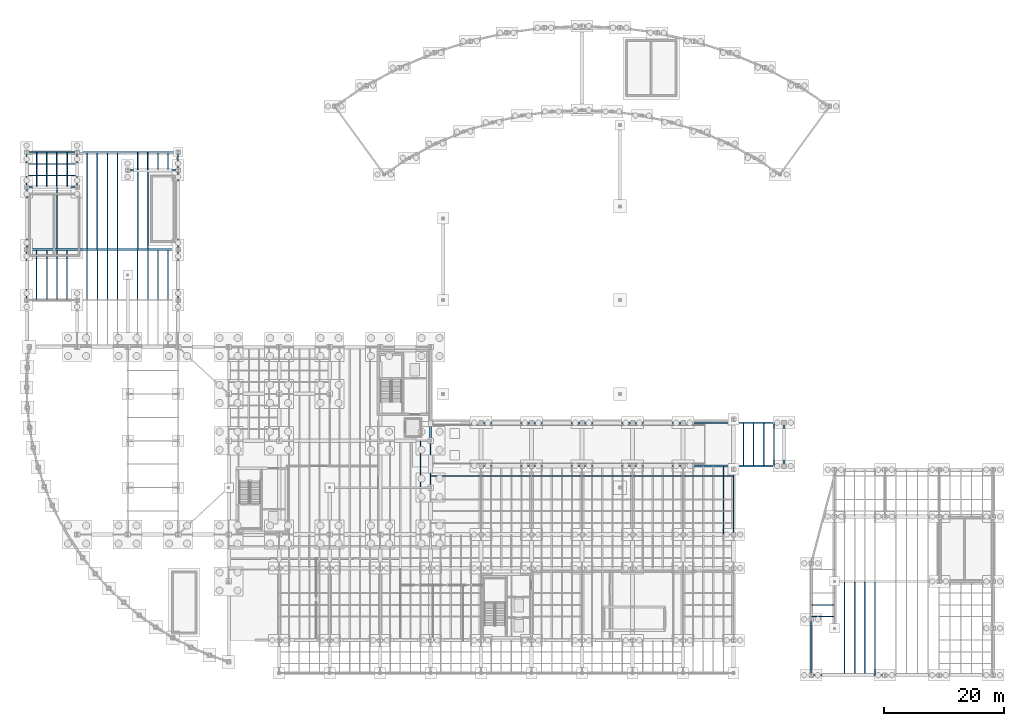
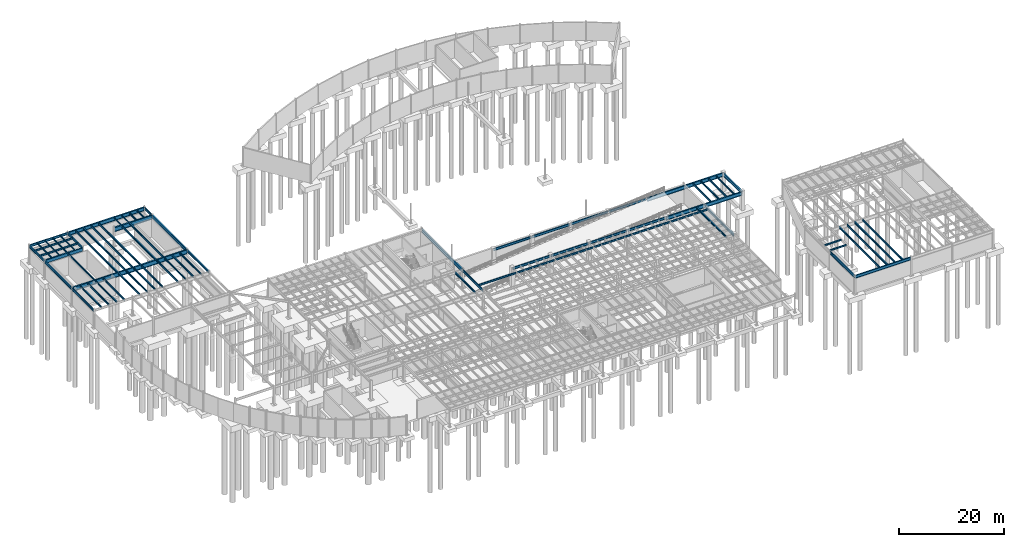
# One storey, part 29 of 41: 75 beams.
"""IFC4 building model written with IfcOpenShell, lengths in metres."""

from ifc_helpers import new_model, si_unit, direction, frame, origin, origin_2d, place, context, subcontext, project, spatial, i_section, extrude, material, material_profile, profile_set, type_object, element, save


model = new_model("IFC4")

# Units and contexts
model_context = context("Model", 3, precision=1e-05, world=origin(), true_north=direction((0.0, 1.0)))
body_context = subcontext(model_context, "Body", "Model", "MODEL_VIEW")
ifc_project = project(units=[si_unit("LENGTHUNIT", "METRE"), si_unit("AREAUNIT", "SQUARE_METRE"), si_unit("VOLUMEUNIT", "CUBIC_METRE"), si_unit("PLANEANGLEUNIT", "RADIAN"), si_unit("MASSUNIT", "GRAM", prefix="KILO")], contexts=[model_context])

# Site, building, storey
site_placement = place(None, origin())
site = spatial("IfcSite", under=ifc_project, at=site_placement, CompositionType="ELEMENT")
building_placement = place(site_placement, origin())
building = spatial("IfcBuilding", under=site, at=building_placement, Name="Selat Folded Stagehouse", CompositionType="ELEMENT")
storey_placement = place(building_placement, frame((0.0, 0.0, -4.5)))
storey = spatial("IfcBuildingStorey", under=building, at=storey_placement, Name="B1", CompositionType="ELEMENT", Elevation=-4.5)

# Beams
ifc_material_1 = material(Name="Steel S355", Category="steel")
ifc_material_profile_1 = material_profile(ifc_material_1, i_section(OverallWidth=0.210693359375, OverallDepth=0.53955078125, WebThickness=0.01171875, FlangeThickness=0.018798828125, FilletRadius=0.0126953125, at=origin_2d()), Name="UKB 533x210x109")
ifc_profile_set_1 = profile_set([ifc_material_profile_1], Name="Steel S355")
beam_type_1 = type_object("IfcBeamType", Name="BM-GIRD-533x210x109", PredefinedType="BEAM", material=ifc_profile_set_1)
beam_1_placement = place(storey_placement, frame((0.0, 62.47998046875, 3.97021484375), z_axis=(0.0, 1.0, 0.0), x_axis=(-1.0, 0.0, 0.0)))
element("IfcBeam", 1, at=beam_1_placement, inside=storey, type_object=beam_type_1, Name="B1 primary y-girder 0082", PredefinedType="BEAM", context=body_context, shape_type="SweptSolid", body=[
    extrude(i_section(OverallWidth=0.210693359375, OverallDepth=0.53955078125, WebThickness=0.01171875, FlangeThickness=0.018798828125, FilletRadius=0.0126953125, at=origin_2d()), origin(), (0.0, 0.0, 1.0), 8.239990234375),
])
for number, where, z_axis, x_axis, name in (
    (2, (0.0, 81.280029296875, 3.97021484375), (0.0, 1.0, 0.0), (-1.0, 0.0, 0.0), "B1 primary y-girder 0084"),
    (3, (8.39990234375, 81.280029296875, 3.97021484375), (0.0, 1.0, 0.0), (-1.0, 0.0, 0.0), "B1 primary y-girder 0086"),
):
    element("IfcBeam", number, at=place(storey_placement, frame(where, z_axis=z_axis, x_axis=x_axis)), inside=storey, type_object=beam_type_1, Name=name, PredefinedType="BEAM", context=body_context, shape_type="SweptSolid", body=[
        extrude(i_section(OverallWidth=0.210693359375, OverallDepth=0.53955078125, WebThickness=0.01171875, FlangeThickness=0.018798828125, FilletRadius=0.0126953125, at=origin_2d()), origin(), (0.0, 0.0, 1.0), 5.639892578125),
    ])
beam_2_placement = place(storey_placement, frame((25.199951171875, 62.47998046875, 3.97021484375), z_axis=(0.0, 1.0, 0.0), x_axis=(-1.0, 0.0, 0.0)))
element("IfcBeam", 4, at=beam_2_placement, inside=storey, type_object=beam_type_1, Name="B1 primary y-girder 0088", PredefinedType="BEAM", context=body_context, shape_type="SweptSolid", body=[
    extrude(i_section(OverallWidth=0.210693359375, OverallDepth=0.53955078125, WebThickness=0.01171875, FlangeThickness=0.018798828125, FilletRadius=0.0126953125, at=origin_2d()), origin(), (0.0, 0.0, 1.0), 8.239990234375),
])
beam_3_placement = place(storey_placement, frame((25.199951171875, 84.080078125, 3.97021484375), z_axis=(0.0, 1.0, 0.0), x_axis=(-1.0, 0.0, 0.0)))
element("IfcBeam", 5, at=beam_3_placement, inside=storey, type_object=beam_type_1, Name="B1 primary y-girder 0090", PredefinedType="BEAM", context=body_context, shape_type="SweptSolid", body=[
    extrude(i_section(OverallWidth=0.210693359375, OverallDepth=0.53955078125, WebThickness=0.01171875, FlangeThickness=0.018798828125, FilletRadius=0.0126953125, at=origin_2d()), origin(), (0.0, 0.0, 1.0), 2.83984375),
])
beam_4_placement = place(storey_placement, frame((67.199951171875, 31.280029296875, 3.930419921875), z_axis=(0.0, 1.0, 0.0), x_axis=(-1.0, 0.0, 0.0)))
element("IfcBeam", 6, at=beam_4_placement, inside=storey, type_object=beam_type_1, Name="B1 primary y-girder 0113", PredefinedType="BEAM", context=body_context, shape_type="SweptSolid", body=[
    extrude(i_section(OverallWidth=0.210693359375, OverallDepth=0.53955078125, WebThickness=0.01171875, FlangeThickness=0.018798828125, FilletRadius=0.0126953125, at=origin_2d()), origin(), (0.0, 0.0, 1.0), 7.639892578125),
])
ifc_material_profile_2 = material_profile(ifc_material_1, i_section(OverallWidth=0.209228515625, OverallDepth=0.533203125, WebThickness=0.010009765625, FlangeThickness=0.015625, FilletRadius=0.0126953125, at=origin_2d()), Name="UKB 533x210x92")
ifc_profile_set_2 = profile_set([ifc_material_profile_2], Name="Steel S355")
beam_type_2 = type_object("IfcBeamType", Name="BM-GIRD-533x210x92", PredefinedType="BEAM", material=ifc_profile_set_2)
for number, where, z_axis, x_axis, name in (
    (7, (75.679931640625, 34.800048828125, 3.93359375), (1.0, 0.0, 0.0), (0.0, 1.0, 0.0), "B1 primary x-girder 0053"),
    (8, (84.080078125, 34.800048828125, 3.93359375), (1.0, 0.0, 0.0), (0.0, 1.0, 0.0), "B1 primary x-girder 0054"),
    (9, (92.47998046875, 34.800048828125, 3.93359375), (1.0, 0.0, 0.0), (0.0, 1.0, 0.0), "B1 primary x-girder 0055"),
):
    element("IfcBeam", number, at=place(storey_placement, frame(where, z_axis=z_axis, x_axis=x_axis)), inside=storey, type_object=beam_type_2, Name=name, PredefinedType="BEAM", context=body_context, shape_type="SweptSolid", body=[
        extrude(i_section(OverallWidth=0.209228515625, OverallDepth=0.533203125, WebThickness=0.010009765625, FlangeThickness=0.015625, FilletRadius=0.0126953125, at=origin_2d()), origin(), (0.0, 0.0, 1.0), 8.239990234375),
    ])
beam_5_placement = place(storey_placement, frame((100.8798828125, 34.800048828125, 3.93359375), z_axis=(1.0, 0.0, 0.0), x_axis=(0.0, 1.0, 0.0)))
element("IfcBeam", 10, at=beam_5_placement, inside=storey, type_object=beam_type_2, Name="B1 primary x-girder 0056", PredefinedType="BEAM", context=body_context, shape_type="SweptSolid", body=[
    extrude(i_section(OverallWidth=0.209228515625, OverallDepth=0.533203125, WebThickness=0.010009765625, FlangeThickness=0.015625, FilletRadius=0.0126953125, at=origin_2d()), origin(), (0.0, 0.0, 1.0), 8.240234375),
])
for number, where, z_axis, x_axis, name in (
    (11, (75.679931640625, 42.0, 3.93359375), (1.0, 0.0, 0.0), (0.0, 1.0, 0.0), "B1 primary x-girder 0061"),
    (12, (84.080078125, 42.0, 3.93359375), (1.0, 0.0, 0.0), (0.0, 1.0, 0.0), "B1 primary x-girder 0062"),
    (13, (92.47998046875, 42.0, 3.93359375), (1.0, 0.0, 0.0), (0.0, 1.0, 0.0), "B1 primary x-girder 0063"),
):
    element("IfcBeam", number, at=place(storey_placement, frame(where, z_axis=z_axis, x_axis=x_axis)), inside=storey, type_object=beam_type_2, Name=name, PredefinedType="BEAM", context=body_context, shape_type="SweptSolid", body=[
        extrude(i_section(OverallWidth=0.209228515625, OverallDepth=0.533203125, WebThickness=0.010009765625, FlangeThickness=0.015625, FilletRadius=0.0126953125, at=origin_2d()), origin(), (0.0, 0.0, 1.0), 8.239990234375),
    ])
beam_6_placement = place(storey_placement, frame((100.8798828125, 42.0, 3.93359375), z_axis=(1.0, 0.0, 0.0), x_axis=(0.0, 1.0, 0.0)))
element("IfcBeam", 14, at=beam_6_placement, inside=storey, type_object=beam_type_2, Name="B1 primary x-girder 0064", PredefinedType="BEAM", context=body_context, shape_type="SweptSolid", body=[
    extrude(i_section(OverallWidth=0.209228515625, OverallDepth=0.533203125, WebThickness=0.010009765625, FlangeThickness=0.015625, FilletRadius=0.0126953125, at=origin_2d()), origin(), (0.0, 0.0, 1.0), 8.240234375),
])
beam_7_placement = place(storey_placement, frame((0.080078125, 87.0, 3.973388671875), z_axis=(1.0, 0.0, 0.0), x_axis=(0.0, 1.0, 0.0)))
element("IfcBeam", 15, at=beam_7_placement, inside=storey, type_object=beam_type_2, Name="B1 primary x-girder 0080", PredefinedType="BEAM", context=body_context, shape_type="SweptSolid", body=[
    extrude(i_section(OverallWidth=0.209228515625, OverallDepth=0.533203125, WebThickness=0.010009765625, FlangeThickness=0.015625, FilletRadius=0.0126953125, at=origin_2d()), origin(), (0.0, 0.0, 1.0), 8.239990234375),
])
ifc_material_profile_3 = material_profile(ifc_material_1, i_section(OverallWidth=0.230224609375, OverallDepth=0.6171875, WebThickness=0.01318359375, FlangeThickness=0.022216796875, FilletRadius=0.0126953125, at=origin_2d()), Name="UKB 610x229x140")
ifc_profile_set_3 = profile_set([ifc_material_profile_3], Name="Steel S355")
beam_type_3 = type_object("IfcBeamType", Name="BM-GIRD-610x229x140", PredefinedType="BEAM", material=ifc_profile_set_3)
beam_8_placement = place(storey_placement, frame((0.0, 70.8798828125, 3.931396484375), z_axis=(0.0, 1.0, 0.0), x_axis=(-1.0, 0.0, 0.0)))
element("IfcBeam", 16, at=beam_8_placement, inside=storey, type_object=beam_type_3, Name="B1 primary y-girder 0083", PredefinedType="BEAM", context=body_context, shape_type="SweptSolid", body=[
    extrude(i_section(OverallWidth=0.230224609375, OverallDepth=0.6171875, WebThickness=0.01318359375, FlangeThickness=0.022216796875, FilletRadius=0.0126953125, at=origin_2d()), origin(), (0.0, 0.0, 1.0), 10.240234375),
])
beam_9_placement = place(storey_placement, frame((117.60009765625, 23.47998046875, 3.891357421875), z_axis=(0.0, 1.0, 0.0), x_axis=(-1.0, 0.0, 0.0)))
element("IfcBeam", 17, at=beam_9_placement, inside=storey, type_object=beam_type_3, Name="B1 primary y-girder 0136", PredefinedType="BEAM", context=body_context, shape_type="SweptSolid", body=[
    extrude(i_section(OverallWidth=0.230224609375, OverallDepth=0.6171875, WebThickness=0.01318359375, FlangeThickness=0.022216796875, FilletRadius=0.0126953125, at=origin_2d()), origin(), (0.0, 0.0, 1.0), 10.68994140625),
])
beam_10_placement = place(storey_placement, frame((130.510009765625, 0.080078125, 3.94140625), z_axis=(0.0, 1.0, 0.0), x_axis=(-1.0, 0.0, 0.0)))
element("IfcBeam", 18, at=beam_10_placement, inside=storey, type_object=beam_type_3, Name="B1 primary y-girder 0138", PredefinedType="BEAM", context=body_context, shape_type="SweptSolid", body=[
    extrude(i_section(OverallWidth=0.230224609375, OverallDepth=0.6171875, WebThickness=0.01318359375, FlangeThickness=0.022216796875, FilletRadius=0.0126953125, at=origin_2d()), origin(), (0.0, 0.0, 1.0), 9.139892578125),
])
ifc_material_profile_4 = material_profile(ifc_material_1, i_section(OverallWidth=0.253662109375, OverallDepth=0.68359375, WebThickness=0.012451171875, FlangeThickness=0.01904296875, FilletRadius=0.01513671875, at=origin_2d()), Name="UKB 686x254x140")
ifc_profile_set_4 = profile_set([ifc_material_profile_4], Name="Steel S355")
beam_type_4 = type_object("IfcBeamType", Name="BM-GIRD-686x254x140", PredefinedType="BEAM", material=ifc_profile_set_4)
beam_11_placement = place(storey_placement, frame((130.590576171875, 0.0, 3.908203125), z_axis=(1.0, 0.0, 0.0), x_axis=(0.0, 1.0, 0.0)))
element("IfcBeam", 19, at=beam_11_placement, inside=storey, type_object=beam_type_4, Name="B1 primary x-girder 0001", PredefinedType="BEAM", context=body_context, shape_type="SweptSolid", body=[
    extrude(i_section(OverallWidth=0.253662109375, OverallDepth=0.68359375, WebThickness=0.012451171875, FlangeThickness=0.01904296875, FilletRadius=0.01513671875, at=origin_2d()), origin(), (0.0, 0.0, 1.0), 12.12939453125),
])
ifc_material_profile_5 = material_profile(ifc_material_1, i_section(OverallWidth=0.26806640625, OverallDepth=0.769775390625, WebThickness=0.015625, FlangeThickness=0.025390625, FilletRadius=0.0166015625, at=origin_2d()), Name="UKB 762x267x197")
ifc_profile_set_5 = profile_set([ifc_material_profile_5], Name="Steel S355")
beam_type_5 = type_object("IfcBeamType", Name="BM-GIRD-762x267x197", PredefinedType="BEAM", material=ifc_profile_set_5)
beam_12_placement = place(storey_placement, frame((25.199951171875, 70.8798828125, 3.85498046875), z_axis=(0.0, 1.0, 0.0), x_axis=(-1.0, 0.0, 0.0)))
element("IfcBeam", 20, at=beam_12_placement, inside=storey, type_object=beam_type_5, Name="B1 primary y-girder 0089", PredefinedType="BEAM", context=body_context, shape_type="SweptSolid", body=[
    extrude(i_section(OverallWidth=0.26806640625, OverallDepth=0.769775390625, WebThickness=0.015625, FlangeThickness=0.025390625, FilletRadius=0.0166015625, at=origin_2d()), origin(), (0.0, 0.0, 1.0), 13.0400390625),
])
beam_13_placement = place(storey_placement, frame((67.199951171875, 39.080078125, 3.835205078125), z_axis=(0.0, 1.0, 0.0), x_axis=(-1.0, 0.0, 0.0)))
element("IfcBeam", 21, at=beam_13_placement, inside=storey, type_object=beam_type_5, Name="B1 primary y-girder 0114", PredefinedType="BEAM", context=body_context, shape_type="SweptSolid", body=[
    extrude(i_section(OverallWidth=0.26806640625, OverallDepth=0.769775390625, WebThickness=0.015625, FlangeThickness=0.025390625, FilletRadius=0.0166015625, at=origin_2d()), origin(), (0.0, 0.0, 1.0), 15.43994140625),
])
beam_14_placement = place(storey_placement, frame((126.0, 34.8798828125, 3.820068359375), z_axis=(0.0, 1.0, 0.0), x_axis=(-1.0, 0.0, 0.0)))
element("IfcBeam", 22, at=beam_14_placement, inside=storey, type_object=beam_type_5, Name="B1 primary y-girder 0137", PredefinedType="BEAM", context=body_context, shape_type="SweptSolid", body=[
    extrude(i_section(OverallWidth=0.26806640625, OverallDepth=0.769775390625, WebThickness=0.015625, FlangeThickness=0.025390625, FilletRadius=0.0166015625, at=origin_2d()), origin(), (0.0, 0.0, 1.0), 7.0400390625),
])
ifc_material_profile_6 = material_profile(ifc_material_1, i_section(OverallWidth=0.293701171875, OverallDepth=0.850830078125, WebThickness=0.01611328125, FlangeThickness=0.02685546875, FilletRadius=0.017822265625, at=origin_2d()), Name="UKB 838x292x226")
ifc_profile_set_6 = profile_set([ifc_material_profile_6], Name="Steel S355")
beam_type_6 = type_object("IfcBeamType", Name="BM-LONG-838x292x226", PredefinedType="BEAM", material=ifc_profile_set_6)
for number, where, z_axis, x_axis, name in (
    (23, (109.280029296875, 34.800048828125, 3.774658203125), (1.0, 0.0, 0.0), (0.0, 1.0, 0.0), "B1 primary x-girder 0057"),
    (24, (109.280029296875, 42.0, 3.774658203125), (1.0, 0.0, 0.0), (0.0, 1.0, 0.0), "B1 primary x-girder 0065"),
):
    element("IfcBeam", number, at=place(storey_placement, frame(where, z_axis=z_axis, x_axis=x_axis)), inside=storey, type_object=beam_type_6, Name=name, PredefinedType="BEAM", context=body_context, shape_type="SweptSolid", body=[
        extrude(i_section(OverallWidth=0.293701171875, OverallDepth=0.850830078125, WebThickness=0.01611328125, FlangeThickness=0.02685546875, FilletRadius=0.017822265625, at=origin_2d()), origin(), (0.0, 0.0, 1.0), 16.639892578125),
    ])
beam_15_placement = place(storey_placement, frame((0.080078125, 81.199951171875, 3.814453125), z_axis=(1.0, 0.0, 0.0), x_axis=(0.0, 1.0, 0.0)))
element("IfcBeam", 25, at=beam_15_placement, inside=storey, type_object=beam_type_6, Name="B1 primary x-girder 0078", PredefinedType="BEAM", context=body_context, shape_type="SweptSolid", body=[
    extrude(i_section(OverallWidth=0.293701171875, OverallDepth=0.850830078125, WebThickness=0.01611328125, FlangeThickness=0.02685546875, FilletRadius=0.017822265625, at=origin_2d()), origin(), (0.0, 0.0, 1.0), 8.239990234375),
])
beam_16_placement = place(storey_placement, frame((8.47998046875, 87.0, 3.814453125), z_axis=(1.0, 0.0, 0.0), x_axis=(0.0, 1.0, 0.0)))
element("IfcBeam", 26, at=beam_16_placement, inside=storey, type_object=beam_type_6, Name="B1 primary x-girder 0081", PredefinedType="BEAM", context=body_context, shape_type="SweptSolid", body=[
    extrude(i_section(OverallWidth=0.293701171875, OverallDepth=0.850830078125, WebThickness=0.01611328125, FlangeThickness=0.02685546875, FilletRadius=0.017822265625, at=origin_2d()), origin(), (0.0, 0.0, 1.0), 16.64013671875),
])
ifc_material_2 = material(Name="Steel S460", Category="steel")
ifc_material_profile_7 = material_profile(ifc_material_2, i_section(OverallWidth=0.302001953125, OverallDepth=1.008056640625, WebThickness=0.02099609375, FlangeThickness=0.033935546875, FilletRadius=0.030029296875, at=origin_2d()), Name="UKB 1016x305x349")
ifc_profile_set_7 = profile_set([ifc_material_profile_7], Name="Steel S460")
beam_type_7 = type_object("IfcBeamType", Name="BM-XFER-1016x305x349", PredefinedType="BEAM", material=ifc_profile_set_7)
beam_17_placement = place(storey_placement, frame((0.080078125, 70.800048828125, 3.73583984375), z_axis=(1.0, 0.0, 0.0), x_axis=(0.0, 1.0, 0.0)))
element("IfcBeam", 27, at=beam_17_placement, inside=storey, type_object=beam_type_7, Name="B1 primary x-girder 0077", PredefinedType="BEAM", context=body_context, shape_type="SweptSolid", body=[
    extrude(i_section(OverallWidth=0.302001953125, OverallDepth=1.008056640625, WebThickness=0.02099609375, FlangeThickness=0.033935546875, FilletRadius=0.030029296875, at=origin_2d()), origin(), (0.0, 0.0, 1.0), 25.0400390625),
])
beam_18_placement = place(storey_placement, frame((16.8798828125, 84.0, 3.73583984375), z_axis=(1.0, 0.0, 0.0), x_axis=(0.0, 1.0, 0.0)))
element("IfcBeam", 28, at=beam_18_placement, inside=storey, type_object=beam_type_7, Name="B1 primary x-girder 0079", PredefinedType="BEAM", context=body_context, shape_type="SweptSolid", body=[
    extrude(i_section(OverallWidth=0.302001953125, OverallDepth=1.008056640625, WebThickness=0.02099609375, FlangeThickness=0.033935546875, FilletRadius=0.030029296875, at=origin_2d()), origin(), (0.0, 0.0, 1.0), 8.240234375),
])
ifc_material_profile_8 = material_profile(ifc_material_1, i_section(OverallWidth=0.14599609375, OverallDepth=0.25146484375, WebThickness=0.006103515625, FlangeThickness=0.008544921875, FilletRadius=0.007568359375, at=origin_2d()), Name="UKB 254x146x31")
ifc_profile_set_8 = profile_set([ifc_material_profile_8], Name="Steel S355")
beam_type_8 = type_object("IfcBeamType", Name="JST-254x146x31", PredefinedType="JOIST", material=ifc_profile_set_8)
for number, where, z_axis, x_axis, name in (
    (29, (18.47998046875, 84.105712890625, 4.1142578125), (0.0, 1.0, 0.0), (-1.0, 0.0, 0.0), "B1 secondary floor joist 0175"),
    (30, (20.159912109375, 84.105712890625, 4.1142578125), (0.0, 1.0, 0.0), (-1.0, 0.0, 0.0), "B1 secondary floor joist 0179"),
):
    element("IfcBeam", number, at=place(storey_placement, frame(where, z_axis=z_axis, x_axis=x_axis)), inside=storey, type_object=beam_type_8, Name=name, PredefinedType="JOIST", context=body_context, shape_type="SweptSolid", body=[
        extrude(i_section(OverallWidth=0.14599609375, OverallDepth=0.25146484375, WebThickness=0.006103515625, FlangeThickness=0.008544921875, FilletRadius=0.007568359375, at=origin_2d()), origin(), (0.0, 0.0, 1.0), 2.79150390625),
    ])
ifc_material_profile_9 = material_profile(ifc_material_1, i_section(OverallWidth=0.1650390625, OverallDepth=0.303466796875, WebThickness=0.006103515625, FlangeThickness=0.01025390625, FilletRadius=0.0087890625, at=origin_2d()), Name="UKB 305x165x40")
ifc_profile_set_9 = profile_set([ifc_material_profile_9], Name="Steel S355")
beam_type_9 = type_object("IfcBeamType", Name="JST-305x165x40", PredefinedType="JOIST", material=ifc_profile_set_9)
for number, where, z_axis, x_axis, name in (
    (31, (1.679931640625, 81.302734375, 4.08837890625), (0.0, 1.0, 0.0), (-1.0, 0.0, 0.0), "B1 secondary floor joist 0152"),
    (32, (3.360107421875, 81.302734375, 4.08837890625), (0.0, 1.0, 0.0), (-1.0, 0.0, 0.0), "B1 secondary floor joist 0154"),
    (33, (5.0400390625, 81.302734375, 4.08837890625), (0.0, 1.0, 0.0), (-1.0, 0.0, 0.0), "B1 secondary floor joist 0157"),
    (34, (6.719970703125, 81.302734375, 4.08837890625), (0.0, 1.0, 0.0), (-1.0, 0.0, 0.0), "B1 secondary floor joist 0159"),
):
    element("IfcBeam", number, at=place(storey_placement, frame(where, z_axis=z_axis, x_axis=x_axis)), inside=storey, type_object=beam_type_9, Name=name, PredefinedType="JOIST", context=body_context, shape_type="SweptSolid", body=[
        extrude(i_section(OverallWidth=0.1650390625, OverallDepth=0.303466796875, WebThickness=0.006103515625, FlangeThickness=0.01025390625, FilletRadius=0.0087890625, at=origin_2d()), origin(), (0.0, 0.0, 1.0), 5.6240234375),
    ])
ifc_material_profile_10 = material_profile(ifc_material_1, i_section(OverallWidth=0.17138671875, OverallDepth=0.35498046875, WebThickness=0.00732421875, FlangeThickness=0.011474609375, FilletRadius=0.01025390625, at=origin_2d()), Name="UKB 356x171x51")
ifc_profile_set_10 = profile_set([ifc_material_profile_10], Name="Steel S355")
beam_type_10 = type_object("IfcBeamType", Name="JST-356x171x51", PredefinedType="JOIST", material=ifc_profile_set_10)
beam_19_placement = place(storey_placement, frame((23.52001953125, 84.105712890625, 4.0625), z_axis=(0.0, 1.0, 0.0), x_axis=(-1.0, 0.0, 0.0)))
element("IfcBeam", 35, at=beam_19_placement, inside=storey, type_object=beam_type_10, Name="B1 secondary floor joist 0185", PredefinedType="JOIST", context=body_context, shape_type="SweptSolid", body=[
    extrude(i_section(OverallWidth=0.17138671875, OverallDepth=0.35498046875, WebThickness=0.00732421875, FlangeThickness=0.011474609375, FilletRadius=0.01025390625, at=origin_2d()), origin(), (0.0, 0.0, 1.0), 2.79150390625),
])
for number, where, z_axis, x_axis, name in (
    (36, (120.9599609375, 34.90283203125, 4.0224609375), (0.0, 1.0, 0.0), (-1.0, 0.0, 0.0), "B1 secondary floor joist 0349"),
    (37, (124.320068359375, 34.90283203125, 4.0224609375), (0.0, 1.0, 0.0), (-1.0, 0.0, 0.0), "B1 secondary floor joist 0351"),
):
    element("IfcBeam", number, at=place(storey_placement, frame(where, z_axis=z_axis, x_axis=x_axis)), inside=storey, type_object=beam_type_10, Name=name, PredefinedType="JOIST", context=body_context, shape_type="SweptSolid", body=[
        extrude(i_section(OverallWidth=0.17138671875, OverallDepth=0.35498046875, WebThickness=0.00732421875, FlangeThickness=0.011474609375, FilletRadius=0.01025390625, at=origin_2d()), origin(), (0.0, 0.0, 1.0), 6.994384765625),
    ])
for number, where, z_axis, x_axis, name in (
    (38, (130.590576171875, 9.75, 4.072509765625), (1.0, 0.0, 0.0), (0.0, 1.0, 0.0), "B1 secondary x-joist 0409"),
    (39, (130.590576171875, 11.699951171875, 4.072509765625), (1.0, 0.0, 0.0), (0.0, 1.0, 0.0), "B1 secondary x-joist 0417"),
):
    element("IfcBeam", number, at=place(storey_placement, frame(where, z_axis=z_axis, x_axis=x_axis)), inside=storey, type_object=beam_type_10, Name=name, PredefinedType="JOIST", context=body_context, shape_type="SweptSolid", body=[
        extrude(i_section(OverallWidth=0.17138671875, OverallDepth=0.35498046875, WebThickness=0.00732421875, FlangeThickness=0.011474609375, FilletRadius=0.01025390625, at=origin_2d()), origin(), (0.0, 0.0, 1.0), 3.728759765625),
    ])
ifc_material_profile_11 = material_profile(ifc_material_1, i_section(OverallWidth=0.177978515625, OverallDepth=0.406494140625, WebThickness=0.0078125, FlangeThickness=0.0126953125, FilletRadius=0.01025390625, at=origin_2d()), Name="UKB 406x178x60")
ifc_profile_set_11 = profile_set([ifc_material_profile_11], Name="Steel S355")
beam_type_11 = type_object("IfcBeamType", Name="JST-406x178x60", PredefinedType="JOIST", material=ifc_profile_set_11)
for number, where, z_axis, x_axis, name in (
    (40, (1.679931640625, 62.473388671875, 4.036865234375), (0.0, 1.0, 0.0), (-1.0, 0.0, 0.0), "B1 secondary floor joist 0151"),
    (41, (3.360107421875, 62.473388671875, 4.036865234375), (0.0, 1.0, 0.0), (-1.0, 0.0, 0.0), "B1 secondary floor joist 0153"),
    (42, (5.0400390625, 62.473388671875, 4.036865234375), (0.0, 1.0, 0.0), (-1.0, 0.0, 0.0), "B1 secondary floor joist 0155"),
):
    element("IfcBeam", number, at=place(storey_placement, frame(where, z_axis=z_axis, x_axis=x_axis)), inside=storey, type_object=beam_type_11, Name=name, PredefinedType="JOIST", context=body_context, shape_type="SweptSolid", body=[
        extrude(i_section(OverallWidth=0.177978515625, OverallDepth=0.406494140625, WebThickness=0.0078125, FlangeThickness=0.0126953125, FilletRadius=0.01025390625, at=origin_2d()), origin(), (0.0, 0.0, 1.0), 8.220947265625),
    ])
beam_20_placement = place(storey_placement, frame((5.0400390625, 70.90576171875, 4.036865234375), z_axis=(0.0, 1.0, 0.0), x_axis=(-1.0, 0.0, 0.0)))
element("IfcBeam", 43, at=beam_20_placement, inside=storey, type_object=beam_type_11, Name="B1 secondary floor joist 0156", PredefinedType="JOIST", context=body_context, shape_type="SweptSolid", body=[
    extrude(i_section(OverallWidth=0.177978515625, OverallDepth=0.406494140625, WebThickness=0.0078125, FlangeThickness=0.0126953125, FilletRadius=0.01025390625, at=origin_2d()), origin(), (0.0, 0.0, 1.0), 10.19140625),
])
beam_21_placement = place(storey_placement, frame((6.719970703125, 62.473388671875, 4.036865234375), z_axis=(0.0, 1.0, 0.0), x_axis=(-1.0, 0.0, 0.0)))
element("IfcBeam", 44, at=beam_21_placement, inside=storey, type_object=beam_type_11, Name="B1 secondary floor joist 0158", PredefinedType="JOIST", context=body_context, shape_type="SweptSolid", body=[
    extrude(i_section(OverallWidth=0.177978515625, OverallDepth=0.406494140625, WebThickness=0.0078125, FlangeThickness=0.0126953125, FilletRadius=0.01025390625, at=origin_2d()), origin(), (0.0, 0.0, 1.0), 8.220947265625),
])
for number, where, z_axis, x_axis, name in (
    (45, (10.080078125, 62.502685546875, 4.036865234375), (0.0, 1.0, 0.0), (-1.0, 0.0, 0.0), "B1 secondary floor joist 0161"),
    (46, (11.760009765625, 62.502685546875, 4.036865234375), (0.0, 1.0, 0.0), (-1.0, 0.0, 0.0), "B1 secondary floor joist 0164"),
    (47, (13.43994140625, 62.502685546875, 4.036865234375), (0.0, 1.0, 0.0), (-1.0, 0.0, 0.0), "B1 secondary floor joist 0167"),
    (48, (15.1201171875, 62.502685546875, 4.036865234375), (0.0, 1.0, 0.0), (-1.0, 0.0, 0.0), "B1 secondary floor joist 0170"),
    (49, (18.47998046875, 62.502685546875, 4.036865234375), (0.0, 1.0, 0.0), (-1.0, 0.0, 0.0), "B1 secondary floor joist 0173"),
    (50, (20.159912109375, 62.502685546875, 4.036865234375), (0.0, 1.0, 0.0), (-1.0, 0.0, 0.0), "B1 secondary floor joist 0177"),
    (51, (21.840087890625, 62.502685546875, 4.036865234375), (0.0, 1.0, 0.0), (-1.0, 0.0, 0.0), "B1 secondary floor joist 0181"),
):
    element("IfcBeam", number, at=place(storey_placement, frame(where, z_axis=z_axis, x_axis=x_axis)), inside=storey, type_object=beam_type_11, Name=name, PredefinedType="JOIST", context=body_context, shape_type="SweptSolid", body=[
        extrude(i_section(OverallWidth=0.177978515625, OverallDepth=0.406494140625, WebThickness=0.0078125, FlangeThickness=0.0126953125, FilletRadius=0.01025390625, at=origin_2d()), origin(), (0.0, 0.0, 1.0), 8.191650390625),
    ])
beam_22_placement = place(storey_placement, frame((21.840087890625, 84.105712890625, 4.036865234375), z_axis=(0.0, 1.0, 0.0), x_axis=(-1.0, 0.0, 0.0)))
element("IfcBeam", 52, at=beam_22_placement, inside=storey, type_object=beam_type_11, Name="B1 secondary floor joist 0182", PredefinedType="JOIST", context=body_context, shape_type="SweptSolid", body=[
    extrude(i_section(OverallWidth=0.177978515625, OverallDepth=0.406494140625, WebThickness=0.0078125, FlangeThickness=0.0126953125, FilletRadius=0.01025390625, at=origin_2d()), origin(), (0.0, 0.0, 1.0), 2.79150390625),
])
beam_23_placement = place(storey_placement, frame((23.52001953125, 62.502685546875, 4.036865234375), z_axis=(0.0, 1.0, 0.0), x_axis=(-1.0, 0.0, 0.0)))
element("IfcBeam", 53, at=beam_23_placement, inside=storey, type_object=beam_type_11, Name="B1 secondary floor joist 0184", PredefinedType="JOIST", context=body_context, shape_type="SweptSolid", body=[
    extrude(i_section(OverallWidth=0.177978515625, OverallDepth=0.406494140625, WebThickness=0.0078125, FlangeThickness=0.0126953125, FilletRadius=0.01025390625, at=origin_2d()), origin(), (0.0, 0.0, 1.0), 8.191650390625),
])
beam_24_placement = place(storey_placement, frame((67.273681640625, 33.14990234375, 3.996826171875), z_axis=(1.0, 0.0, 0.0), x_axis=(0.0, 1.0, 0.0)))
element("IfcBeam", 54, at=beam_24_placement, inside=storey, type_object=beam_type_11, Name="B1 secondary x-joist 0473", PredefinedType="JOIST", context=body_context, shape_type="SweptSolid", body=[
    extrude(i_section(OverallWidth=0.177978515625, OverallDepth=0.406494140625, WebThickness=0.0078125, FlangeThickness=0.0126953125, FilletRadius=0.01025390625, at=origin_2d()), origin(), (0.0, 0.0, 1.0), 8.24560546875),
])
for number, where, z_axis, x_axis, name in (
    (55, (75.6806640625, 33.14990234375, 3.996826171875), (1.0, 0.0, 0.0), (0.0, 1.0, 0.0), "B1 secondary x-joist 0474"),
    (56, (84.08056640625, 33.14990234375, 3.996826171875), (1.0, 0.0, 0.0), (0.0, 1.0, 0.0), "B1 secondary x-joist 0475"),
    (57, (92.480712890625, 33.14990234375, 3.996826171875), (1.0, 0.0, 0.0), (0.0, 1.0, 0.0), "B1 secondary x-joist 0476"),
    (58, (100.880615234375, 33.14990234375, 3.996826171875), (1.0, 0.0, 0.0), (0.0, 1.0, 0.0), "B1 secondary x-joist 0477"),
    (59, (109.280517578125, 33.14990234375, 3.996826171875), (1.0, 0.0, 0.0), (0.0, 1.0, 0.0), "B1 secondary x-joist 0478"),
):
    element("IfcBeam", number, at=place(storey_placement, frame(where, z_axis=z_axis, x_axis=x_axis)), inside=storey, type_object=beam_type_11, Name=name, PredefinedType="JOIST", context=body_context, shape_type="SweptSolid", body=[
        extrude(i_section(OverallWidth=0.177978515625, OverallDepth=0.406494140625, WebThickness=0.0078125, FlangeThickness=0.0126953125, FilletRadius=0.01025390625, at=origin_2d()), origin(), (0.0, 0.0, 1.0), 8.23876953125),
    ])
for number, where, z_axis, x_axis, name in (
    (60, (0.07373046875, 83.10009765625, 4.036865234375), (1.0, 0.0, 0.0), (0.0, 1.0, 0.0), "B1 secondary x-joist 0491"),
    (61, (0.07373046875, 85.050048828125, 4.036865234375), (1.0, 0.0, 0.0), (0.0, 1.0, 0.0), "B1 secondary x-joist 0492"),
):
    element("IfcBeam", number, at=place(storey_placement, frame(where, z_axis=z_axis, x_axis=x_axis)), inside=storey, type_object=beam_type_11, Name=name, PredefinedType="JOIST", context=body_context, shape_type="SweptSolid", body=[
        extrude(i_section(OverallWidth=0.177978515625, OverallDepth=0.406494140625, WebThickness=0.0078125, FlangeThickness=0.0126953125, FilletRadius=0.01025390625, at=origin_2d()), origin(), (0.0, 0.0, 1.0), 8.25244140625),
    ])
ifc_material_profile_12 = material_profile(ifc_material_1, i_section(OverallWidth=0.18994140625, OverallDepth=0.453369140625, WebThickness=0.008544921875, FlangeThickness=0.0126953125, FilletRadius=0.01025390625, at=origin_2d()), Name="UKB 457x191x67")
ifc_profile_set_12 = profile_set([ifc_material_profile_12], Name="Steel S355")
beam_type_12 = type_object("IfcBeamType", Name="JST-457x191x67", PredefinedType="JOIST", material=ifc_profile_set_12)
for number, where, z_axis, x_axis, name in (
    (62, (10.080078125, 70.90576171875, 4.01318359375), (0.0, 1.0, 0.0), (-1.0, 0.0, 0.0), "B1 secondary floor joist 0162"),
    (63, (11.760009765625, 70.90576171875, 4.01318359375), (0.0, 1.0, 0.0), (-1.0, 0.0, 0.0), "B1 secondary floor joist 0165"),
    (64, (13.43994140625, 70.90576171875, 4.01318359375), (0.0, 1.0, 0.0), (-1.0, 0.0, 0.0), "B1 secondary floor joist 0168"),
    (65, (15.1201171875, 70.90576171875, 4.01318359375), (0.0, 1.0, 0.0), (-1.0, 0.0, 0.0), "B1 secondary floor joist 0171"),
):
    element("IfcBeam", number, at=place(storey_placement, frame(where, z_axis=z_axis, x_axis=x_axis)), inside=storey, type_object=beam_type_12, Name=name, PredefinedType="JOIST", context=body_context, shape_type="SweptSolid", body=[
        extrude(i_section(OverallWidth=0.18994140625, OverallDepth=0.453369140625, WebThickness=0.008544921875, FlangeThickness=0.0126953125, FilletRadius=0.01025390625, at=origin_2d()), origin(), (0.0, 0.0, 1.0), 15.991455078125),
    ])
for number, where, z_axis, x_axis, name in (
    (66, (18.47998046875, 70.90576171875, 4.01318359375), (0.0, 1.0, 0.0), (-1.0, 0.0, 0.0), "B1 secondary floor joist 0174"),
    (67, (20.159912109375, 70.90576171875, 4.01318359375), (0.0, 1.0, 0.0), (-1.0, 0.0, 0.0), "B1 secondary floor joist 0178"),
):
    element("IfcBeam", number, at=place(storey_placement, frame(where, z_axis=z_axis, x_axis=x_axis)), inside=storey, type_object=beam_type_12, Name=name, PredefinedType="JOIST", context=body_context, shape_type="SweptSolid", body=[
        extrude(i_section(OverallWidth=0.18994140625, OverallDepth=0.453369140625, WebThickness=0.008544921875, FlangeThickness=0.0126953125, FilletRadius=0.01025390625, at=origin_2d()), origin(), (0.0, 0.0, 1.0), 12.988525390625),
    ])
beam_25_placement = place(storey_placement, frame((65.52001953125, 31.302734375, 3.993408203125), z_axis=(0.0, 1.0, 0.0), x_axis=(-1.0, 0.0, 0.0)))
element("IfcBeam", 68, at=beam_25_placement, inside=storey, type_object=beam_type_12, Name="B1 secondary floor joist 0262", PredefinedType="JOIST", context=body_context, shape_type="SweptSolid", body=[
    extrude(i_section(OverallWidth=0.18994140625, OverallDepth=0.453369140625, WebThickness=0.008544921875, FlangeThickness=0.0126953125, FilletRadius=0.01025390625, at=origin_2d()), origin(), (0.0, 0.0, 1.0), 7.6240234375),
])
beam_26_placement = place(storey_placement, frame((115.919921875, 23.473388671875, 3.973388671875), z_axis=(0.0, 1.0, 0.0), x_axis=(-1.0, 0.0, 0.0)))
element("IfcBeam", 69, at=beam_26_placement, inside=storey, type_object=beam_type_12, Name="B1 secondary floor joist 0347", PredefinedType="JOIST", context=body_context, shape_type="SweptSolid", body=[
    extrude(i_section(OverallWidth=0.18994140625, OverallDepth=0.453369140625, WebThickness=0.008544921875, FlangeThickness=0.0126953125, FilletRadius=0.01025390625, at=origin_2d()), origin(), (0.0, 0.0, 1.0), 11.223876953125),
])
for number, where, z_axis, x_axis, name in (
    (70, (119.280029296875, 34.90283203125, 3.973388671875), (0.0, 1.0, 0.0), (-1.0, 0.0, 0.0), "B1 secondary floor joist 0348"),
    (71, (122.639892578125, 34.90283203125, 3.973388671875), (0.0, 1.0, 0.0), (-1.0, 0.0, 0.0), "B1 secondary floor joist 0350"),
):
    element("IfcBeam", number, at=place(storey_placement, frame(where, z_axis=z_axis, x_axis=x_axis)), inside=storey, type_object=beam_type_12, Name=name, PredefinedType="JOIST", context=body_context, shape_type="SweptSolid", body=[
        extrude(i_section(OverallWidth=0.18994140625, OverallDepth=0.453369140625, WebThickness=0.008544921875, FlangeThickness=0.0126953125, FilletRadius=0.01025390625, at=origin_2d()), origin(), (0.0, 0.0, 1.0), 6.994384765625),
    ])
for number, where, z_axis, x_axis, name in (
    (72, (136.080078125, 0.0888671875, 4.023193359375), (0.0, 1.0, 0.0), (-1.0, 0.0, 0.0), "B1 secondary floor joist 0352"),
    (73, (137.760009765625, 0.0888671875, 4.023193359375), (0.0, 1.0, 0.0), (-1.0, 0.0, 0.0), "B1 secondary floor joist 0355"),
    (74, (139.43994140625, 0.0888671875, 4.023193359375), (0.0, 1.0, 0.0), (-1.0, 0.0, 0.0), "B1 secondary floor joist 0358"),
    (75, (141.1201171875, 0.0888671875, 4.023193359375), (0.0, 1.0, 0.0), (-1.0, 0.0, 0.0), "B1 secondary floor joist 0361"),
):
    element("IfcBeam", number, at=place(storey_placement, frame(where, z_axis=z_axis, x_axis=x_axis)), inside=storey, type_object=beam_type_12, Name=name, PredefinedType="JOIST", context=body_context, shape_type="SweptSolid", body=[
        extrude(i_section(OverallWidth=0.18994140625, OverallDepth=0.453369140625, WebThickness=0.008544921875, FlangeThickness=0.0126953125, FilletRadius=0.01025390625, at=origin_2d()), origin(), (0.0, 0.0, 1.0), 15.408447265625),
    ])

save(model, "model.ifc")
